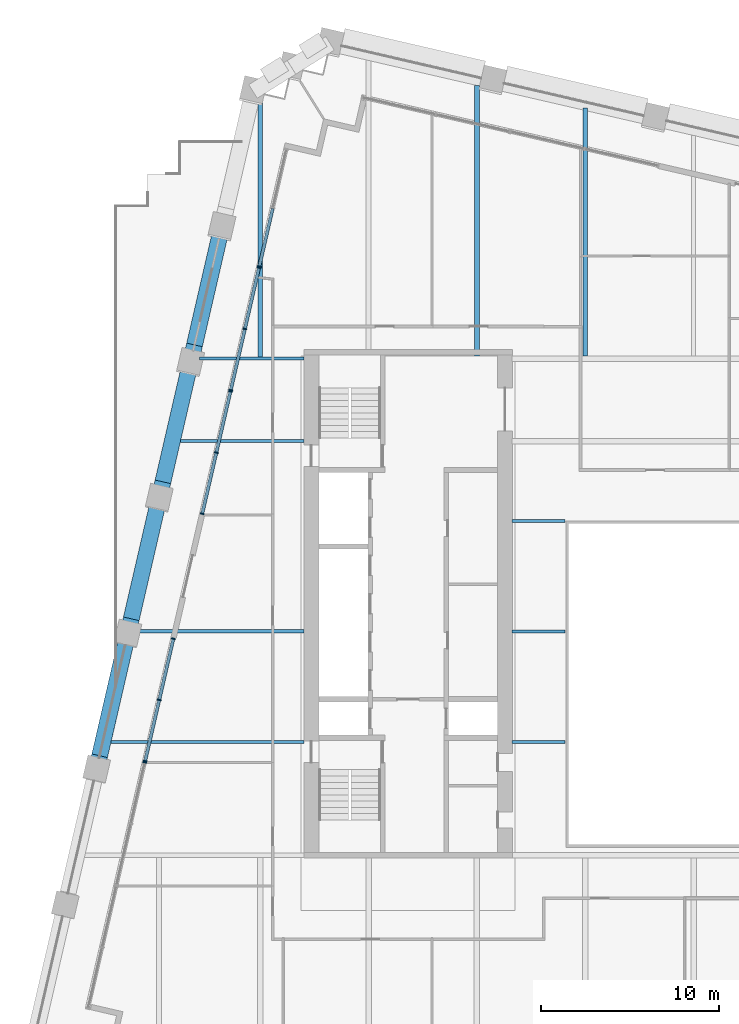
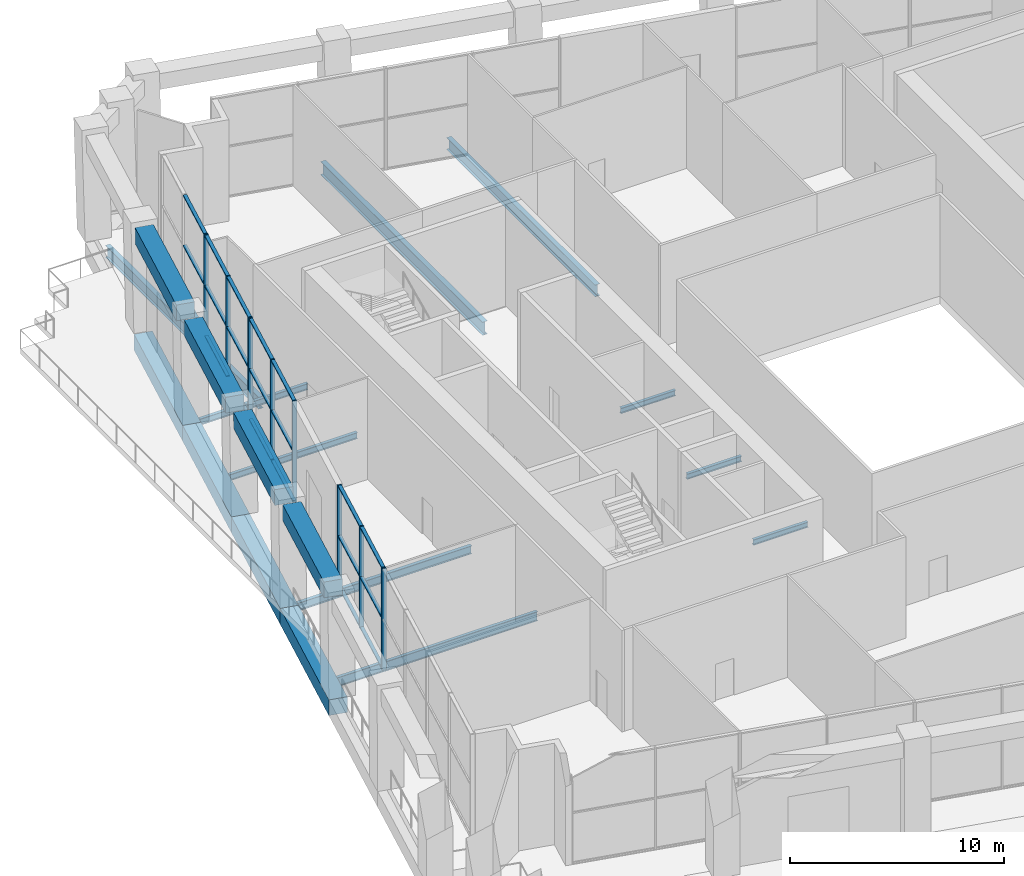
# One storey, part 6 of 23: 32 members, 18 beams, 5 elements without a shape of their own.
"""IFC4 building model written with IfcOpenShell, lengths in metres."""

from ifc_helpers import new_model, si_unit, direction, frame, origin, origin_2d, place, context, subcontext, project, spatial, rectangle, i_section, extrude, material, material_profile, profile_set, type_object, element, aggregate, save


model = new_model("IFC4")

# Units and contexts
model_context = context("Model", 3, precision=1e-05, world=origin(), true_north=direction((0.0, 1.0)))
body_context = subcontext(model_context, "Body", "Model", "MODEL_VIEW")
ifc_project = project(units=[si_unit("LENGTHUNIT", "METRE"), si_unit("AREAUNIT", "SQUARE_METRE"), si_unit("VOLUMEUNIT", "CUBIC_METRE"), si_unit("PLANEANGLEUNIT", "RADIAN"), si_unit("MASSUNIT", "GRAM", prefix="KILO")], contexts=[model_context])

# Site, building, storey
site_placement = place(None, origin())
site = spatial("IfcSite", under=ifc_project, at=site_placement, CompositionType="ELEMENT")
building_placement = place(site_placement, origin())
building = spatial("IfcBuilding", under=site, at=building_placement, Name="Ogive Exchange Tower", CompositionType="ELEMENT")
storey_placement = place(building_placement, frame((0.0, 0.0, 99.60009765625)))
storey = spatial("IfcBuildingStorey", under=building, at=storey_placement, Name="L21", CompositionType="ELEMENT", Elevation=99.60009765625)

# Beams
ifc_material_1 = material(Name="Steel ASTM A992 Gr50", Category="steel")
ifc_material_profile_1 = material_profile(ifc_material_1, i_section(OverallWidth=0.1650390625, OverallDepth=0.31005859375, WebThickness=0.005859375, FlangeThickness=0.009765625, at=origin_2d()), Name="W310x38.7")
ifc_profile_set_1 = profile_set([ifc_material_profile_1], Name="Steel ASTM A992 Gr50")
beam_type_1 = type_object("IfcBeamType", Name="Floor beam W310x38.7", PredefinedType="JOIST", material=ifc_profile_set_1)
for number, where, z_axis, x_axis, name in (
    (1, (-10.169921875, 3.75830078125, -0.60498046875), (1.0, 0.0, 0.0), (0.0, 1.0, 0.0), "Floor beam"),
    (2, (-10.169921875, 9.956787109375, -0.60498046875), (1.0, 0.0, 0.0), (0.0, 1.0, 0.0), "Floor beam"),
):
    element("IfcBeam", number, at=place(storey_placement, frame(where, z_axis=z_axis, x_axis=x_axis)), inside=storey, type_object=beam_type_1, Name=name, PredefinedType="JOIST", context=body_context, shape_type="SweptSolid", body=[
        extrude(i_section(OverallWidth=0.1650390625, OverallDepth=0.31005859375, WebThickness=0.005859375, FlangeThickness=0.009765625, at=origin_2d()), origin(), (0.0, 0.0, 1.0), 2.949951171875),
    ])
ifc_material_profile_2 = material_profile(ifc_material_1, i_section(OverallWidth=0.1708984375, OverallDepth=0.35595703125, WebThickness=0.00732421875, FlangeThickness=0.01171875, at=origin_2d()), Name="W360x51")
ifc_profile_set_2 = profile_set([ifc_material_profile_2], Name="Steel ASTM A992 Gr50")
beam_type_2 = type_object("IfcBeamType", Name="Floor beam W360x51", PredefinedType="JOIST", material=ifc_profile_set_2)
beam_1_placement = place(storey_placement, frame((-28.76025390625, 20.62255859375, -0.628173828125), z_axis=(1.0, 0.0, 0.0), x_axis=(0.0, 1.0, 0.0)))
element("IfcBeam", 3, at=beam_1_placement, inside=storey, type_object=beam_type_2, Name="Floor beam", PredefinedType="JOIST", context=body_context, shape_type="SweptSolid", body=[
    extrude(i_section(OverallWidth=0.1708984375, OverallDepth=0.35595703125, WebThickness=0.00732421875, FlangeThickness=0.01171875, at=origin_2d()), origin(), (0.0, 0.0, 1.0), 6.93017578125),
])
ifc_material_profile_3 = material_profile(ifc_material_1, i_section(OverallWidth=0.19091796875, OverallDepth=0.45703125, WebThickness=0.009033203125, FlangeThickness=0.014404296875, at=origin_2d()), Name="W460x74")
ifc_profile_set_3 = profile_set([ifc_material_profile_3], Name="Steel ASTM A992 Gr50")
beam_type_3 = type_object("IfcBeamType", Name="Floor beam W460x74", PredefinedType="JOIST", material=ifc_profile_set_3)
beam_2_placement = place(storey_placement, frame((-31.22265625, 9.956787109375, -0.6787109375), z_axis=(1.0, 0.0, 0.0), x_axis=(0.0, 1.0, 0.0)))
element("IfcBeam", 4, at=beam_2_placement, inside=storey, type_object=beam_type_3, Name="Floor beam", PredefinedType="JOIST", context=body_context, shape_type="SweptSolid", body=[
    extrude(i_section(OverallWidth=0.19091796875, OverallDepth=0.45703125, WebThickness=0.009033203125, FlangeThickness=0.014404296875, at=origin_2d()), origin(), (0.0, 0.0, 1.0), 9.392578125),
])
ifc_material_profile_4 = material_profile(ifc_material_1, i_section(OverallWidth=0.1669921875, OverallDepth=0.535888671875, WebThickness=0.01025390625, FlangeThickness=0.0166015625, at=origin_2d()), Name="W530x85")
ifc_profile_set_4 = profile_set([ifc_material_profile_4], Name="Steel ASTM A992 Gr50")
beam_type_4 = type_object("IfcBeamType", Name="Floor beam W530x85", PredefinedType="JOIST", material=ifc_profile_set_4)
beam_3_placement = place(storey_placement, frame((-32.65380859375, 3.75830078125, -0.718017578125), z_axis=(1.0, 0.0, 0.0), x_axis=(0.0, 1.0, 0.0)))
element("IfcBeam", 5, at=beam_3_placement, inside=storey, type_object=beam_type_4, Name="Floor beam", PredefinedType="JOIST", context=body_context, shape_type="SweptSolid", body=[
    extrude(i_section(OverallWidth=0.1669921875, OverallDepth=0.535888671875, WebThickness=0.01025390625, FlangeThickness=0.0166015625, at=origin_2d()), origin(), (0.0, 0.0, 1.0), 10.82373046875),
])
ifc_material_profile_5 = material_profile(ifc_material_1, i_section(OverallWidth=0.25390625, OverallDepth=0.677978515625, WebThickness=0.01171875, FlangeThickness=0.016357421875, at=origin_2d()), Name="W690x125")
ifc_profile_set_5 = profile_set([ifc_material_profile_5], Name="Steel ASTM A992 Gr50")
beam_type_5 = type_object("IfcBeamType", Name="Floor beam W690x125", PredefinedType="JOIST", material=ifc_profile_set_5)
beam_4_placement = place(storey_placement, frame((-6.073486328125, 25.39501953125, -0.7890625), z_axis=(0.0, 1.0, 0.0), x_axis=(-1.0, 0.0, 0.0)))
element("IfcBeam", 6, at=beam_4_placement, inside=storey, type_object=beam_type_5, Name="Floor beam", PredefinedType="JOIST", context=body_context, shape_type="SweptSolid", body=[
    extrude(i_section(OverallWidth=0.25390625, OverallDepth=0.677978515625, WebThickness=0.01171875, FlangeThickness=0.016357421875, at=origin_2d()), origin(), (0.0, 0.0, 1.0), 13.907958984375),
])
ifc_material_profile_6 = material_profile(ifc_material_1, i_section(OverallWidth=0.25390625, OverallDepth=0.68310546875, WebThickness=0.012451171875, FlangeThickness=0.018798828125, at=origin_2d()), Name="W690x140")
ifc_profile_set_6 = profile_set([ifc_material_profile_6], Name="Steel ASTM A992 Gr50")
beam_type_6 = type_object("IfcBeamType", Name="Floor beam W690x140", PredefinedType="JOIST", material=ifc_profile_set_6)
beam_5_placement = place(storey_placement, frame((-24.29345703125, 25.33056640625, -0.79150390625), z_axis=(0.0, 1.0, 0.0), x_axis=(-1.0, 0.0, 0.0)))
element("IfcBeam", 7, at=beam_5_placement, inside=storey, type_object=beam_type_6, Name="Floor beam", PredefinedType="JOIST", context=body_context, shape_type="SweptSolid", body=[
    extrude(i_section(OverallWidth=0.25390625, OverallDepth=0.68310546875, WebThickness=0.012451171875, FlangeThickness=0.018798828125, at=origin_2d()), origin(), (0.0, 0.0, 1.0), 14.334228515625),
])
ifc_material_profile_7 = material_profile(ifc_material_1, i_section(OverallWidth=0.26708984375, OverallDepth=0.75390625, WebThickness=0.01318359375, FlangeThickness=0.01708984375, at=origin_2d()), Name="W760x147")
ifc_profile_set_7 = profile_set([ifc_material_profile_7], Name="Steel ASTM A992 Gr50")
beam_type_7 = type_object("IfcBeamType", Name="Floor beam W760x147", PredefinedType="JOIST", material=ifc_profile_set_7)
beam_6_placement = place(storey_placement, frame((-12.146728515625, 25.39990234375, -0.8271484375), z_axis=(0.0, 1.0, 0.0), x_axis=(-1.0, 0.0, 0.0)))
element("IfcBeam", 8, at=beam_6_placement, inside=storey, type_object=beam_type_7, Name="Floor beam", PredefinedType="JOIST", context=body_context, shape_type="SweptSolid", body=[
    extrude(i_section(OverallWidth=0.26708984375, OverallDepth=0.75390625, WebThickness=0.01318359375, FlangeThickness=0.01708984375, at=origin_2d()), origin(), (0.0, 0.0, 1.0), 15.155517578125),
])
ifc_material_profile_8 = material_profile(ifc_material_1, i_section(OverallWidth=0.1650390625, OverallDepth=0.31005859375, WebThickness=0.005859375, FlangeThickness=0.009765625, at=origin_2d()), Name="W310x38.7")
ifc_profile_set_8 = profile_set([ifc_material_profile_8], Name="Steel ASTM A992 Gr50")
beam_type_8 = type_object("IfcBeamType", Name="Girder W310x38.7", PredefinedType="BEAM", material=ifc_profile_set_8)
beam_7_placement = place(storey_placement, frame((-10.169921875, 16.155029296875, -0.60498046875), z_axis=(1.0, 0.0, 0.0), x_axis=(0.0, 1.0, 0.0)))
element("IfcBeam", 9, at=beam_7_placement, inside=storey, type_object=beam_type_8, Name="Trimmer girder", PredefinedType="BEAM", context=body_context, shape_type="SweptSolid", body=[
    extrude(i_section(OverallWidth=0.1650390625, OverallDepth=0.31005859375, WebThickness=0.005859375, FlangeThickness=0.009765625, at=origin_2d()), origin(), (0.0, 0.0, 1.0), 2.949951171875),
])
ifc_material_profile_9 = material_profile(ifc_material_1, i_section(OverallWidth=0.1708984375, OverallDepth=0.35595703125, WebThickness=0.00732421875, FlangeThickness=0.01171875, at=origin_2d()), Name="W360x51")
ifc_profile_set_9 = profile_set([ifc_material_profile_9], Name="Steel ASTM A992 Gr50")
beam_type_9 = type_object("IfcBeamType", Name="Girder W360x51", PredefinedType="BEAM", material=ifc_profile_set_9)
beam_8_placement = place(storey_placement, frame((-27.693115234375, 25.2451171875, -0.628173828125), z_axis=(1.0, 0.0, 0.0), x_axis=(0.0, 1.0, 0.0)))
element("IfcBeam", 10, at=beam_8_placement, inside=storey, type_object=beam_type_9, Name="Header girder", PredefinedType="BEAM", context=body_context, shape_type="SweptSolid", body=[
    extrude(i_section(OverallWidth=0.1708984375, OverallDepth=0.35595703125, WebThickness=0.00732421875, FlangeThickness=0.01171875, at=origin_2d()), origin(), (0.0, 0.0, 1.0), 5.863037109375),
])
ifc_material_2 = material(Name="Precast concrete C70/85 (limestone faced)", Category="masonry")
ifc_material_profile_10 = material_profile(ifc_material_2, rectangle(XDim=0.89990234375, YDim=0.89990234375, at=origin_2d()), Name="900 x 900")
ifc_profile_set_10 = profile_set([ifc_material_profile_10], Name="Precast concrete C70/85 (limestone faced)")
beam_type_10 = type_object("IfcBeamType", Name="Precast spandrel 900 x 900 C70/85", PredefinedType="SPANDREL", material=ifc_profile_set_10)
beam_9_placement = place(storey_placement, frame((-26.48876953125, 32.461669921875, 5.2998046875), z_axis=(-0.224953802524, -0.974369430314, 0.0), x_axis=(0.974369430314, -0.224953802524, 0.0)))
element("IfcBeam", 11, at=beam_9_placement, inside=storey, type_object=beam_type_10, Name="Spandrel 27", PredefinedType="SPANDREL", context=body_context, shape_type="SweptSolid", body=[
    extrude(rectangle(XDim=0.89990234375, YDim=0.89990234375, at=origin_2d()), origin(), (0.0, 0.0, 1.0), 6.6181640625),
])
for number, where, z_axis, x_axis, name in (
    (12, (-28.260986328125, 24.78564453125, 5.2998046875), (-0.224961888605, -0.974367563436, 0.0), (0.974367563436, -0.224961888605, 0.0), "Spandrel 28"),
    (13, (-30.033203125, 17.109619140625, 5.2998046875), (-0.224926864054, -0.974375649237, 0.0), (0.974375649237, -0.224926864054, 0.0), "Spandrel 29"),
    (14, (-31.805419921875, 9.43359375, 5.2998046875), (-0.224926864054, -0.974375649237, 0.0), (0.974375649237, -0.224926864054, 0.0), "Spandrel 30"),
):
    element("IfcBeam", number, at=place(storey_placement, frame(where, z_axis=z_axis, x_axis=x_axis)), inside=storey, type_object=beam_type_10, Name=name, PredefinedType="SPANDREL", context=body_context, shape_type="SweptSolid", body=[
        extrude(rectangle(XDim=0.89990234375, YDim=0.89990234375, at=origin_2d()), origin(), (0.0, 0.0, 1.0), 6.617919921875),
    ])
ifc_material_profile_11 = material_profile(ifc_material_2, rectangle(XDim=0.89990234375, YDim=0.89990234375, at=origin_2d()), Name="900 x 900")
ifc_profile_set_11 = profile_set([ifc_material_profile_11], Name="Precast concrete C70/85 (limestone faced)")
beam_type_11 = type_object("IfcBeamType", Name="Precast transfer girder 900 x 900 C70/85", PredefinedType="BEAM", material=ifc_profile_set_11)
for number, where, z_axis, x_axis, name in (
    (15, (-26.452392578125, 32.619873046875, -0.900146484375), (-0.224923513443, -0.974376422693, 0.0), (0.974376422693, -0.224923513443, 0.0), "Transfer girder 27"),
    (16, (-28.206787109375, 25.019775390625, -0.900146484375), (-0.22495322987, -0.974369562523, 0.0), (0.974369562523, -0.22495322987, 0.0), "Transfer girder 28"),
    (17, (-29.96142578125, 17.419677734375, -0.900146484375), (-0.22495322987, -0.974369562523, 0.0), (0.974369562523, -0.22495322987, 0.0), "Transfer girder 29"),
    (18, (-31.716064453125, 9.819580078125, -0.900146484375), (-0.22495322987, -0.974369562523, 0.0), (0.974369562523, -0.22495322987, 0.0), "Transfer girder 30"),
):
    element("IfcBeam", number, at=place(storey_placement, frame(where, z_axis=z_axis, x_axis=x_axis)), inside=storey, type_object=beam_type_11, Name=name, PredefinedType="BEAM", context=body_context, shape_type="SweptSolid", body=[
        extrude(rectangle(XDim=0.89990234375, YDim=0.89990234375, at=origin_2d()), origin(), (0.0, 0.0, 1.0), 7.800048828125),
    ])

# Curtain wall, member
ifc_material_3 = material(Name="Anodised aluminium and clear glass", Category="aluminium")
curtain_wall_type = type_object("IfcCurtainWallType", Name="Sky lobby glazing", PredefinedType="NOTDEFINED", material=ifc_material_3)
curtain_wall_1_placement = place(storey_placement, origin())
curtain_wall_1 = element("IfcCurtainWall", 19, at=curtain_wall_1_placement, inside=storey, type_object=curtain_wall_type, Name="Sky lobby glazing run G20", PredefinedType="NOTDEFINED")
ifc_material_4 = material(Name="Anodised aluminium", Category="aluminium")
ifc_material_profile_12 = material_profile(ifc_material_4, rectangle(XDim=0.219970703125, YDim=0.070068359375, at=origin_2d()), Name="AL 70x220")
ifc_profile_set_12 = profile_set([ifc_material_profile_12], Name="Anodised aluminium")
member_type_1 = type_object("IfcMemberType", Name="Sky lobby glazing mullion 70 x 220", PredefinedType="MULLION", material=ifc_profile_set_12)
member_1_placement = place(storey_placement, frame((-24.345458984375, 30.409912109375, 0.0), z_axis=(0.0, 0.0, 1.0), x_axis=(0.974369920963, -0.224951677306, 0.0)))
member_1 = element("IfcMember", 20, at=member_1_placement, type_object=member_type_1, Name="G20 mullion 3", PredefinedType="MULLION", context=body_context, shape_type="SweptSolid", body=[
    extrude(rectangle(XDim=0.219970703125, YDim=0.070068359375, at=origin_2d()), origin(), (0.0, 0.0, 1.0), 5.7998046875),
])

# Curtain wall, members
curtain_wall_2_placement = place(storey_placement, origin())
curtain_wall_2 = element("IfcCurtainWall", 21, at=curtain_wall_2_placement, inside=storey, type_object=curtain_wall_type, Name="Sky lobby glazing run G21", PredefinedType="NOTDEFINED")
member_2_placement = place(storey_placement, frame((-24.361083984375, 30.341796875, 0.0), z_axis=(0.0, 0.0, 1.0), x_axis=(0.974371765874, -0.224943685993, 0.0)))
member_2 = element("IfcMember", 22, at=member_2_placement, type_object=member_type_1, Name="G21 mullion 1", PredefinedType="MULLION", context=body_context, shape_type="SweptSolid", body=[
    extrude(rectangle(XDim=0.219970703125, YDim=0.070068359375, at=origin_2d()), origin(), (0.0, 0.0, 1.0), 5.7998046875),
])
member_3_placement = place(storey_placement, frame((-25.153564453125, 26.909912109375, 0.0), z_axis=(0.0, 0.0, 1.0), x_axis=(0.974371765874, -0.224943685993, 0.0)))
member_3 = element("IfcMember", 23, at=member_3_placement, type_object=member_type_1, Name="G21 mullion 2", PredefinedType="MULLION", context=body_context, shape_type="SweptSolid", body=[
    extrude(rectangle(XDim=0.219970703125, YDim=0.070068359375, at=origin_2d()), origin(), (0.0, 0.0, 1.0), 5.7998046875),
])
member_4_placement = place(storey_placement, frame((-25.94580078125, 23.47802734375, 0.0), z_axis=(0.0, 0.0, 1.0), x_axis=(0.974371765874, -0.224943685993, 0.0)))
member_4 = element("IfcMember", 24, at=member_4_placement, type_object=member_type_1, Name="G21 mullion 3", PredefinedType="MULLION", context=body_context, shape_type="SweptSolid", body=[
    extrude(rectangle(XDim=0.219970703125, YDim=0.070068359375, at=origin_2d()), origin(), (0.0, 0.0, 1.0), 5.7998046875),
])

curtain_wall_3_placement = place(storey_placement, origin())
curtain_wall_3 = element("IfcCurtainWall", 25, at=curtain_wall_3_placement, inside=storey, type_object=curtain_wall_type, Name="Sky lobby glazing run G22", PredefinedType="NOTDEFINED")
member_5_placement = place(storey_placement, frame((-25.96142578125, 23.409912109375, 0.0), z_axis=(0.0, 0.0, 1.0), x_axis=(0.974369396254, -0.224953950051, 0.0)))
member_5 = element("IfcMember", 26, at=member_5_placement, type_object=member_type_1, Name="G22 mullion 1", PredefinedType="MULLION", context=body_context, shape_type="SweptSolid", body=[
    extrude(rectangle(XDim=0.219970703125, YDim=0.070068359375, at=origin_2d()), origin(), (0.0, 0.0, 1.0), 5.7998046875),
])
member_6_placement = place(storey_placement, frame((-26.75390625, 19.97802734375, 0.0), z_axis=(0.0, 0.0, 1.0), x_axis=(0.974369396254, -0.224953950051, 0.0)))
member_6 = element("IfcMember", 27, at=member_6_placement, type_object=member_type_1, Name="G22 mullion 2", PredefinedType="MULLION", context=body_context, shape_type="SweptSolid", body=[
    extrude(rectangle(XDim=0.219970703125, YDim=0.070068359375, at=origin_2d()), origin(), (0.0, 0.0, 1.0), 5.7998046875),
])
member_7_placement = place(storey_placement, frame((-27.546142578125, 16.546142578125, 0.0), z_axis=(0.0, 0.0, 1.0), x_axis=(0.974369396254, -0.224953950051, 0.0)))
member_7 = element("IfcMember", 28, at=member_7_placement, type_object=member_type_1, Name="G22 mullion 3", PredefinedType="MULLION", context=body_context, shape_type="SweptSolid", body=[
    extrude(rectangle(XDim=0.219970703125, YDim=0.070068359375, at=origin_2d()), origin(), (0.0, 0.0, 1.0), 5.7998046875),
])

curtain_wall_4_placement = place(storey_placement, origin())
curtain_wall_4 = element("IfcCurtainWall", 29, at=curtain_wall_4_placement, inside=storey, type_object=curtain_wall_type, Name="Sky lobby glazing run G24", PredefinedType="NOTDEFINED")
member_8_placement = place(storey_placement, frame((-29.162353515625, 9.5458984375, 0.0), z_axis=(0.0, 0.0, 1.0), x_axis=(0.974371765874, -0.224943685993, 0.0)))
member_8 = element("IfcMember", 30, at=member_8_placement, type_object=member_type_1, Name="G24 mullion 1", PredefinedType="MULLION", context=body_context, shape_type="SweptSolid", body=[
    extrude(rectangle(XDim=0.219970703125, YDim=0.070068359375, at=origin_2d()), origin(), (0.0, 0.0, 1.0), 5.7998046875),
])
member_9_placement = place(storey_placement, frame((-29.95458984375, 6.1142578125, 0.0), z_axis=(0.0, 0.0, 1.0), x_axis=(0.974371765874, -0.224943685993, 0.0)))
member_9 = element("IfcMember", 31, at=member_9_placement, type_object=member_type_1, Name="G24 mullion 2", PredefinedType="MULLION", context=body_context, shape_type="SweptSolid", body=[
    extrude(rectangle(XDim=0.219970703125, YDim=0.070068359375, at=origin_2d()), origin(), (0.0, 0.0, 1.0), 5.7998046875),
])
member_10_placement = place(storey_placement, frame((-30.746826171875, 2.682373046875, 0.0), z_axis=(0.0, 0.0, 1.0), x_axis=(0.974371765874, -0.224943685993, 0.0)))
member_10 = element("IfcMember", 32, at=member_10_placement, type_object=member_type_1, Name="G24 mullion 3", PredefinedType="MULLION", context=body_context, shape_type="SweptSolid", body=[
    extrude(rectangle(XDim=0.219970703125, YDim=0.070068359375, at=origin_2d()), origin(), (0.0, 0.0, 1.0), 5.7998046875),
])

# Curtain wall, member
curtain_wall_5_placement = place(storey_placement, origin())
curtain_wall_5 = element("IfcCurtainWall", 33, at=curtain_wall_5_placement, inside=storey, type_object=curtain_wall_type, Name="Sky lobby glazing run G25", PredefinedType="NOTDEFINED")
member_11_placement = place(storey_placement, frame((-30.7626953125, 2.614013671875, 0.0), z_axis=(0.0, 0.0, 1.0), x_axis=(0.974369396254, -0.224953950051, 0.0)))
member_11 = element("IfcMember", 34, at=member_11_placement, type_object=member_type_1, Name="G25 mullion 1", PredefinedType="MULLION", context=body_context, shape_type="SweptSolid", body=[
    extrude(rectangle(XDim=0.219970703125, YDim=0.070068359375, at=origin_2d()), origin(), (0.0, 0.0, 1.0), 5.7998046875),
])
aggregate(curtain_wall_5, [member_11])

# Member
ifc_material_profile_13 = material_profile(ifc_material_4, rectangle(XDim=0.179931640625, YDim=0.070068359375, at=origin_2d()), Name="AL 70x180")
ifc_profile_set_13 = profile_set([ifc_material_profile_13], Name="Anodised aluminium")
member_type_2 = type_object("IfcMemberType", Name="Sky lobby glazing transom 70 x 180", PredefinedType="USERDEFINED", material=ifc_profile_set_13)
member_12_placement = place(storey_placement, frame((-23.5947265625, 33.66162109375, 0.034912109375), z_axis=(-0.224978296346, -0.974363775072, 0.0), x_axis=(0.974363775072, -0.224978296346, 0.0)))
member_12 = element("IfcMember", 35, at=member_12_placement, type_object=member_type_2, Name="G20 transom 2.1", ObjectType="TRANSOM", PredefinedType="USERDEFINED", context=body_context, shape_type="SweptSolid", body=[
    extrude(rectangle(XDim=0.179931640625, YDim=0.070068359375, at=origin_2d()), origin(), (0.0, 0.0, 1.0), 3.30224609375),
])

member_13_placement = place(storey_placement, frame((-23.5947265625, 33.66162109375, 2.89990234375), z_axis=(-0.224978296346, -0.974363775072, 0.0), x_axis=(0.974363775072, -0.224978296346, 0.0)))
member_13 = element("IfcMember", 36, at=member_13_placement, type_object=member_type_2, Name="G20 transom 2.2", ObjectType="TRANSOM", PredefinedType="USERDEFINED", context=body_context, shape_type="SweptSolid", body=[
    extrude(rectangle(XDim=0.179931640625, YDim=0.070068359375, at=origin_2d()), origin(), (0.0, 0.0, 1.0), 3.30224609375),
])

member_14_placement = place(storey_placement, frame((-23.5947265625, 33.66162109375, 5.764892578125), z_axis=(-0.224978296346, -0.974363775072, 0.0), x_axis=(0.974363775072, -0.224978296346, 0.0)))
member_14 = element("IfcMember", 37, at=member_14_placement, type_object=member_type_2, Name="G20 transom 2.3", ObjectType="TRANSOM", PredefinedType="USERDEFINED", context=body_context, shape_type="SweptSolid", body=[
    extrude(rectangle(XDim=0.179931640625, YDim=0.070068359375, at=origin_2d()), origin(), (0.0, 0.0, 1.0), 3.30224609375),
])

aggregate(curtain_wall_1, [member_1, member_12, member_13, member_14])

member_15_placement = place(storey_placement, frame((-24.369140625, 30.3076171875, 0.034912109375), z_axis=(-0.224905994326, -0.974380466613, 0.0), x_axis=(0.974380466613, -0.224905994326, 0.0)))
member_15 = element("IfcMember", 38, at=member_15_placement, type_object=member_type_2, Name="G21 transom 1.1", ObjectType="TRANSOM", PredefinedType="USERDEFINED", context=body_context, shape_type="SweptSolid", body=[
    extrude(rectangle(XDim=0.179931640625, YDim=0.070068359375, at=origin_2d()), origin(), (0.0, 0.0, 1.0), 3.451904296875),
])

member_16_placement = place(storey_placement, frame((-24.369140625, 30.3076171875, 2.89990234375), z_axis=(-0.224905994326, -0.974380466613, 0.0), x_axis=(0.974380466613, -0.224905994326, 0.0)))
member_16 = element("IfcMember", 39, at=member_16_placement, type_object=member_type_2, Name="G21 transom 1.2", ObjectType="TRANSOM", PredefinedType="USERDEFINED", context=body_context, shape_type="SweptSolid", body=[
    extrude(rectangle(XDim=0.179931640625, YDim=0.070068359375, at=origin_2d()), origin(), (0.0, 0.0, 1.0), 3.451904296875),
])

member_17_placement = place(storey_placement, frame((-24.369140625, 30.3076171875, 5.764892578125), z_axis=(-0.224905994326, -0.974380466613, 0.0), x_axis=(0.974380466613, -0.224905994326, 0.0)))
member_17 = element("IfcMember", 40, at=member_17_placement, type_object=member_type_2, Name="G21 transom 1.3", ObjectType="TRANSOM", PredefinedType="USERDEFINED", context=body_context, shape_type="SweptSolid", body=[
    extrude(rectangle(XDim=0.179931640625, YDim=0.070068359375, at=origin_2d()), origin(), (0.0, 0.0, 1.0), 3.451904296875),
])

member_18_placement = place(storey_placement, frame((-25.161376953125, 26.875732421875, 0.034912109375), z_axis=(-0.224905994326, -0.974380466613, 0.0), x_axis=(0.974380466613, -0.224905994326, 0.0)))
member_18 = element("IfcMember", 41, at=member_18_placement, type_object=member_type_2, Name="G21 transom 2.1", ObjectType="TRANSOM", PredefinedType="USERDEFINED", context=body_context, shape_type="SweptSolid", body=[
    extrude(rectangle(XDim=0.179931640625, YDim=0.070068359375, at=origin_2d()), origin(), (0.0, 0.0, 1.0), 3.451904296875),
])

member_19_placement = place(storey_placement, frame((-25.161376953125, 26.875732421875, 2.89990234375), z_axis=(-0.224905994326, -0.974380466613, 0.0), x_axis=(0.974380466613, -0.224905994326, 0.0)))
member_19 = element("IfcMember", 42, at=member_19_placement, type_object=member_type_2, Name="G21 transom 2.2", ObjectType="TRANSOM", PredefinedType="USERDEFINED", context=body_context, shape_type="SweptSolid", body=[
    extrude(rectangle(XDim=0.179931640625, YDim=0.070068359375, at=origin_2d()), origin(), (0.0, 0.0, 1.0), 3.451904296875),
])

member_20_placement = place(storey_placement, frame((-25.161376953125, 26.875732421875, 5.764892578125), z_axis=(-0.224905994326, -0.974380466613, 0.0), x_axis=(0.974380466613, -0.224905994326, 0.0)))
member_20 = element("IfcMember", 43, at=member_20_placement, type_object=member_type_2, Name="G21 transom 2.3", ObjectType="TRANSOM", PredefinedType="USERDEFINED", context=body_context, shape_type="SweptSolid", body=[
    extrude(rectangle(XDim=0.179931640625, YDim=0.070068359375, at=origin_2d()), origin(), (0.0, 0.0, 1.0), 3.451904296875),
])

aggregate(curtain_wall_2, [member_2, member_3, member_4, member_15, member_16, member_17, member_18, member_19, member_20])

member_21_placement = place(storey_placement, frame((-25.96923828125, 23.375732421875, 0.034912109375), z_axis=(-0.224973140409, -0.974364965552, 0.0), x_axis=(0.974364965552, -0.224973140409, 0.0)))
member_21 = element("IfcMember", 44, at=member_21_placement, type_object=member_type_2, Name="G22 transom 1.1", ObjectType="TRANSOM", PredefinedType="USERDEFINED", context=body_context, shape_type="SweptSolid", body=[
    extrude(rectangle(XDim=0.179931640625, YDim=0.070068359375, at=origin_2d()), origin(), (0.0, 0.0, 1.0), 3.451904296875),
])

member_22_placement = place(storey_placement, frame((-25.96923828125, 23.375732421875, 2.89990234375), z_axis=(-0.224973140409, -0.974364965552, 0.0), x_axis=(0.974364965552, -0.224973140409, 0.0)))
member_22 = element("IfcMember", 45, at=member_22_placement, type_object=member_type_2, Name="G22 transom 1.2", ObjectType="TRANSOM", PredefinedType="USERDEFINED", context=body_context, shape_type="SweptSolid", body=[
    extrude(rectangle(XDim=0.179931640625, YDim=0.070068359375, at=origin_2d()), origin(), (0.0, 0.0, 1.0), 3.451904296875),
])

member_23_placement = place(storey_placement, frame((-25.96923828125, 23.375732421875, 5.764892578125), z_axis=(-0.224973140409, -0.974364965552, 0.0), x_axis=(0.974364965552, -0.224973140409, 0.0)))
member_23 = element("IfcMember", 46, at=member_23_placement, type_object=member_type_2, Name="G22 transom 1.3", ObjectType="TRANSOM", PredefinedType="USERDEFINED", context=body_context, shape_type="SweptSolid", body=[
    extrude(rectangle(XDim=0.179931640625, YDim=0.070068359375, at=origin_2d()), origin(), (0.0, 0.0, 1.0), 3.451904296875),
])

member_24_placement = place(storey_placement, frame((-26.76171875, 19.94384765625, 0.034912109375), z_axis=(-0.224973140409, -0.974364965552, 0.0), x_axis=(0.974364965552, -0.224973140409, 0.0)))
member_24 = element("IfcMember", 47, at=member_24_placement, type_object=member_type_2, Name="G22 transom 2.1", ObjectType="TRANSOM", PredefinedType="USERDEFINED", context=body_context, shape_type="SweptSolid", body=[
    extrude(rectangle(XDim=0.179931640625, YDim=0.070068359375, at=origin_2d()), origin(), (0.0, 0.0, 1.0), 3.451904296875),
])

member_25_placement = place(storey_placement, frame((-26.76171875, 19.94384765625, 2.89990234375), z_axis=(-0.224973140409, -0.974364965552, 0.0), x_axis=(0.974364965552, -0.224973140409, 0.0)))
member_25 = element("IfcMember", 48, at=member_25_placement, type_object=member_type_2, Name="G22 transom 2.2", ObjectType="TRANSOM", PredefinedType="USERDEFINED", context=body_context, shape_type="SweptSolid", body=[
    extrude(rectangle(XDim=0.179931640625, YDim=0.070068359375, at=origin_2d()), origin(), (0.0, 0.0, 1.0), 3.451904296875),
])

member_26_placement = place(storey_placement, frame((-26.76171875, 19.94384765625, 5.764892578125), z_axis=(-0.224973140409, -0.974364965552, 0.0), x_axis=(0.974364965552, -0.224973140409, 0.0)))
member_26 = element("IfcMember", 49, at=member_26_placement, type_object=member_type_2, Name="G22 transom 2.3", ObjectType="TRANSOM", PredefinedType="USERDEFINED", context=body_context, shape_type="SweptSolid", body=[
    extrude(rectangle(XDim=0.179931640625, YDim=0.070068359375, at=origin_2d()), origin(), (0.0, 0.0, 1.0), 3.451904296875),
])

aggregate(curtain_wall_3, [member_5, member_6, member_7, member_21, member_22, member_23, member_24, member_25, member_26])

member_27_placement = place(storey_placement, frame((-29.170166015625, 9.511962890625, 0.034912109375), z_axis=(-0.224957638321, -0.974368544731, 0.0), x_axis=(0.974368544731, -0.224957638321, 0.0)))
member_27 = element("IfcMember", 50, at=member_27_placement, type_object=member_type_2, Name="G24 transom 1.1", ObjectType="TRANSOM", PredefinedType="USERDEFINED", context=body_context, shape_type="SweptSolid", body=[
    extrude(rectangle(XDim=0.179931640625, YDim=0.070068359375, at=origin_2d()), origin(), (0.0, 0.0, 1.0), 3.4521484375),
])

member_28_placement = place(storey_placement, frame((-29.170166015625, 9.511962890625, 2.89990234375), z_axis=(-0.224957638321, -0.974368544731, 0.0), x_axis=(0.974368544731, -0.224957638321, 0.0)))
member_28 = element("IfcMember", 51, at=member_28_placement, type_object=member_type_2, Name="G24 transom 1.2", ObjectType="TRANSOM", PredefinedType="USERDEFINED", context=body_context, shape_type="SweptSolid", body=[
    extrude(rectangle(XDim=0.179931640625, YDim=0.070068359375, at=origin_2d()), origin(), (0.0, 0.0, 1.0), 3.4521484375),
])

member_29_placement = place(storey_placement, frame((-29.170166015625, 9.511962890625, 5.764892578125), z_axis=(-0.224957638321, -0.974368544731, 0.0), x_axis=(0.974368544731, -0.224957638321, 0.0)))
member_29 = element("IfcMember", 52, at=member_29_placement, type_object=member_type_2, Name="G24 transom 1.3", ObjectType="TRANSOM", PredefinedType="USERDEFINED", context=body_context, shape_type="SweptSolid", body=[
    extrude(rectangle(XDim=0.179931640625, YDim=0.070068359375, at=origin_2d()), origin(), (0.0, 0.0, 1.0), 3.4521484375),
])

member_30_placement = place(storey_placement, frame((-29.96240234375, 6.080078125, 0.034912109375), z_axis=(-0.224957638321, -0.974368544731, 0.0), x_axis=(0.974368544731, -0.224957638321, 0.0)))
member_30 = element("IfcMember", 53, at=member_30_placement, type_object=member_type_2, Name="G24 transom 2.1", ObjectType="TRANSOM", PredefinedType="USERDEFINED", context=body_context, shape_type="SweptSolid", body=[
    extrude(rectangle(XDim=0.179931640625, YDim=0.070068359375, at=origin_2d()), origin(), (0.0, 0.0, 1.0), 3.4521484375),
])

member_31_placement = place(storey_placement, frame((-29.96240234375, 6.080078125, 2.89990234375), z_axis=(-0.224957638321, -0.974368544731, 0.0), x_axis=(0.974368544731, -0.224957638321, 0.0)))
member_31 = element("IfcMember", 54, at=member_31_placement, type_object=member_type_2, Name="G24 transom 2.2", ObjectType="TRANSOM", PredefinedType="USERDEFINED", context=body_context, shape_type="SweptSolid", body=[
    extrude(rectangle(XDim=0.179931640625, YDim=0.070068359375, at=origin_2d()), origin(), (0.0, 0.0, 1.0), 3.4521484375),
])

member_32_placement = place(storey_placement, frame((-29.96240234375, 6.080078125, 5.764892578125), z_axis=(-0.224957638321, -0.974368544731, 0.0), x_axis=(0.974368544731, -0.224957638321, 0.0)))
member_32 = element("IfcMember", 55, at=member_32_placement, type_object=member_type_2, Name="G24 transom 2.3", ObjectType="TRANSOM", PredefinedType="USERDEFINED", context=body_context, shape_type="SweptSolid", body=[
    extrude(rectangle(XDim=0.179931640625, YDim=0.070068359375, at=origin_2d()), origin(), (0.0, 0.0, 1.0), 3.4521484375),
])

aggregate(curtain_wall_4, [member_8, member_9, member_10, member_27, member_28, member_29, member_30, member_31, member_32])

save(model, "model.ifc")
